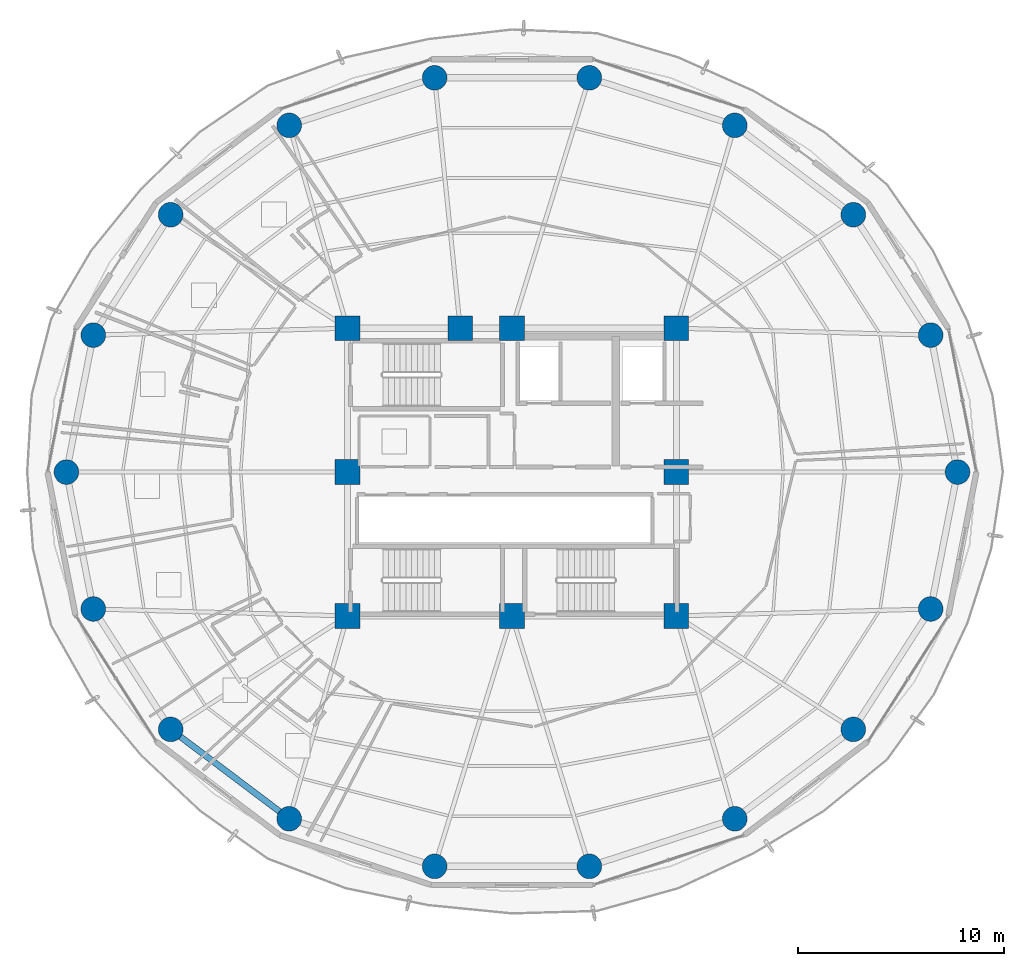
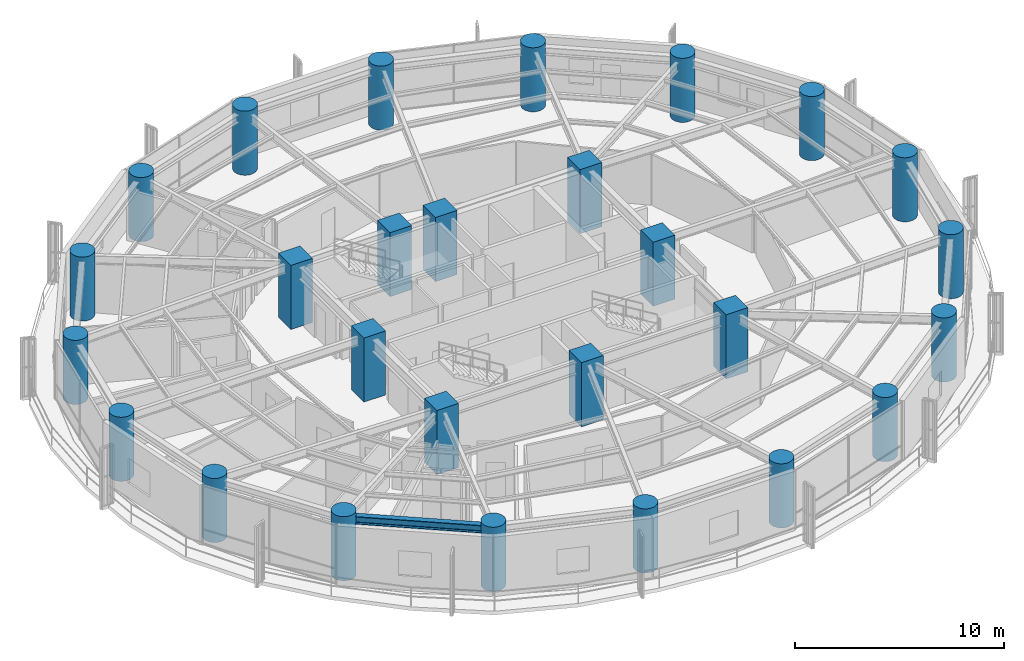
# One storey, part 1 of 27: 27 columns, 1 beam.
"""IFC4 building model written with IfcOpenShell, lengths in metres."""

from ifc_helpers import new_model, si_unit, direction, frame, origin, origin_2d, place, context, subcontext, project, spatial, rectangle, circle, i_section, extrude, material, material_profile, profile_set, type_object, element, save


model = new_model("IFC4")

# Units and contexts
model_context = context("Model", 3, precision=1e-05, world=origin(), true_north=direction((0.0, 1.0)))
body_context = subcontext(model_context, "Body", "Model", "MODEL_VIEW")
ifc_project = project(units=[si_unit("LENGTHUNIT", "METRE"), si_unit("AREAUNIT", "SQUARE_METRE"), si_unit("VOLUMEUNIT", "CUBIC_METRE"), si_unit("PLANEANGLEUNIT", "RADIAN"), si_unit("MASSUNIT", "GRAM", prefix="KILO")], contexts=[model_context])

# Site, building, storey
site_placement = place(None, origin())
site = spatial("IfcSite", under=ifc_project, at=site_placement, CompositionType="ELEMENT")
building_placement = place(site_placement, origin())
building = spatial("IfcBuilding", under=site, at=building_placement, Name="Kelanora Arch Commons", CompositionType="ELEMENT")
storey_placement = place(building_placement, frame((0.0, 0.0, 165.60009765625)))
storey = spatial("IfcBuildingStorey", under=building, at=storey_placement, Name="L42", CompositionType="ELEMENT", Elevation=165.60009765625)

# Columns
ifc_material_1 = material(Name="Concrete C50/60", Category="concrete")
ifc_material_profile_1 = material_profile(ifc_material_1, circle(Radius=0.60009765625, at=origin_2d()), Name="RCC1200")
ifc_profile_set_1 = profile_set([ifc_material_profile_1], Name="Concrete C50/60")
column_type_1 = type_object("IfcColumnType", Name="COL-PERIM-Z3", PredefinedType="COLUMN", material=ifc_profile_set_1)
for number, where, z_axis, x_axis, name in (
    (1, (95.679931640625, 58.0, 0.0), (0.0, 0.0, 1.0), (1.0, 0.0, 0.0), "Perimeter Ring Column CP-00 L42"),
    (2, (94.37255859375, 64.66259765625, 0.0), (0.0, 0.0, 1.0), (1.0, 0.0, 0.0), "Perimeter Ring Column CP-02 L42"),
    (3, (90.60791015625, 70.521484375, 0.0), (0.0, 0.0, 1.0), (1.0, 0.0, 0.0), "Perimeter Ring Column CP-04 L42"),
    (4, (84.840087890625, 74.8701171875, 0.0), (0.0, 0.0, 1.0), (1.0, 0.0, 0.0), "Perimeter Ring Column CP-06 L42"),
    (5, (77.7646484375, 77.18408203125, 0.0), (0.0, 0.0, 1.0), (1.0, 0.0, 0.0), "Perimeter Ring Column CP-08 L42"),
    (6, (70.2353515625, 77.18408203125, 0.0), (0.0, 0.0, 1.0), (1.0, 0.0, 0.0), "Perimeter Ring Column CP-10 L42"),
    (7, (63.159912109375, 74.8701171875, 0.0), (0.0, 0.0, 1.0), (1.0, 0.0, 0.0), "Perimeter Ring Column CP-12 L42"),
    (8, (57.39208984375, 70.521484375, 0.0), (0.0, 0.0, 1.0), (1.0, 0.0, 0.0), "Perimeter Ring Column CP-14 L42"),
    (9, (53.62744140625, 64.66259765625, 0.0), (0.0, 0.0, 1.0), (1.0, 0.0, 0.0), "Perimeter Ring Column CP-16 L42"),
    (10, (52.320068359375, 58.0, 0.0), (0.0, 0.0, 1.0), (1.0, 0.0, 0.0), "Perimeter Ring Column CP-18 L42"),
    (11, (53.62744140625, 51.33740234375, 0.0), (0.0, 0.0, 1.0), (1.0, 0.0, 0.0), "Perimeter Ring Column CP-20 L42"),
    (12, (57.39208984375, 45.478515625, 0.0), (0.0, 0.0, 1.0), (1.0, 0.0, 0.0), "Perimeter Ring Column CP-22 L42"),
    (13, (63.159912109375, 41.1298828125, 0.0), (0.0, 0.0, 1.0), (1.0, 0.0, 0.0), "Perimeter Ring Column CP-24 L42"),
    (14, (70.2353515625, 38.81591796875, 0.0), (0.0, 0.0, 1.0), (1.0, 0.0, 0.0), "Perimeter Ring Column CP-26 L42"),
    (15, (77.7646484375, 38.81591796875, 0.0), (0.0, 0.0, 1.0), (1.0, 0.0, 0.0), "Perimeter Ring Column CP-28 L42"),
    (16, (84.840087890625, 41.1298828125, 0.0), (0.0, 0.0, 1.0), (1.0, 0.0, 0.0), "Perimeter Ring Column CP-30 L42"),
    (17, (90.60791015625, 45.478515625, 0.0), (0.0, 0.0, 1.0), (1.0, 0.0, 0.0), "Perimeter Ring Column CP-32 L42"),
    (18, (94.37255859375, 51.33740234375, 0.0), (0.0, 0.0, 1.0), (1.0, 0.0, 0.0), "Perimeter Ring Column CP-34 L42"),
):
    element("IfcColumn", number, at=place(storey_placement, frame(where, z_axis=z_axis, x_axis=x_axis)), inside=storey, type_object=column_type_1, Name=name, PredefinedType="COLUMN", context=body_context, shape_type="SweptSolid", body=[
        extrude(circle(Radius=0.60009765625, at=origin_2d()), origin(), (0.0, 0.0, 1.0), 3.75),
    ])
ifc_material_2 = material(Name="Concrete C60/75", Category="concrete")
ifc_material_profile_2 = material_profile(ifc_material_2, rectangle(XDim=1.199951171875, YDim=1.199951171875, at=origin_2d()), Name="RC1200x1200")
ifc_profile_set_2 = profile_set([ifc_material_profile_2], Name="Concrete C60/75")
column_type_2 = type_object("IfcColumnType", Name="COL-PIL-MID", PredefinedType="PILASTER", material=ifc_profile_set_2)
for number, where, z_axis, x_axis, name in (
    (19, (66.0, 51.0, 0.0), (0.0, 0.0, 1.0), (1.0, 0.0, 0.0), "Core Pilaster Column CP1 L42"),
    (20, (74.0, 51.0, 0.0), (0.0, 0.0, 1.0), (1.0, 0.0, 0.0), "Core Pilaster Column CP2 L42"),
    (21, (82.0, 51.0, 0.0), (0.0, 0.0, 1.0), (1.0, 0.0, 0.0), "Core Pilaster Column CP3 L42"),
    (22, (82.0, 58.0, 0.0), (0.0, 0.0, 1.0), (1.0, 0.0, 0.0), "Core Pilaster Column CP4 L42"),
    (23, (82.0, 65.0, 0.0), (0.0, 0.0, 1.0), (1.0, 0.0, 0.0), "Core Pilaster Column CP5 L42"),
    (24, (74.0, 65.0, 0.0), (0.0, 0.0, 1.0), (1.0, 0.0, 0.0), "Core Pilaster Column CP6 L42"),
    (25, (71.47998046875, 65.0, 0.0), (0.0, 0.0, 1.0), (1.0, 0.0, 0.0), "Core Pilaster Column CP9 L42"),
    (26, (66.0, 65.0, 0.0), (0.0, 0.0, 1.0), (1.0, 0.0, 0.0), "Core Pilaster Column CP7 L42"),
    (27, (66.0, 58.0, 0.0), (0.0, 0.0, 1.0), (1.0, 0.0, 0.0), "Core Pilaster Column CP8 L42"),
):
    element("IfcColumn", number, at=place(storey_placement, frame(where, z_axis=z_axis, x_axis=x_axis)), inside=storey, type_object=column_type_2, Name=name, PredefinedType="PILASTER", context=body_context, shape_type="SweptSolid", body=[
        extrude(rectangle(XDim=1.199951171875, YDim=1.199951171875, at=origin_2d()), origin(), (0.0, 0.0, 1.0), 3.75),
    ])

# Beam
ifc_material_3 = material(Name="Steel S355", Category="steel")
ifc_material_profile_3 = material_profile(ifc_material_3, i_section(OverallWidth=0.300048828125, OverallDepth=0.449951171875, WebThickness=0.013916015625, FlangeThickness=0.02587890625, FilletRadius=0.027099609375, at=origin_2d()), Name="HEB450")
ifc_profile_set_3 = profile_set([ifc_material_profile_3], Name="Steel S355")
beam_type = type_object("IfcBeamType", Name="BM-SPN-Z3", PredefinedType="SPANDREL", material=ifc_profile_set_3)
beam_placement = place(storey_placement, frame((57.39208984375, 45.478515625, 3.264892578125), z_axis=(0.798484645564, -0.60201517489, 0.0), x_axis=(0.60201517489, 0.798484645564, 0.0)))
element("IfcBeam", 28, at=beam_placement, inside=storey, type_object=beam_type, Name="Perimeter Spandrel Beam BS-22 L42", PredefinedType="SPANDREL", context=body_context, shape_type="SweptSolid", body=[
    extrude(i_section(OverallWidth=0.300048828125, OverallDepth=0.449951171875, WebThickness=0.013916015625, FlangeThickness=0.02587890625, FilletRadius=0.027099609375, at=origin_2d()), origin(), (0.0, 0.0, 1.0), 7.223388671875),
])

save(model, "model.ifc")
